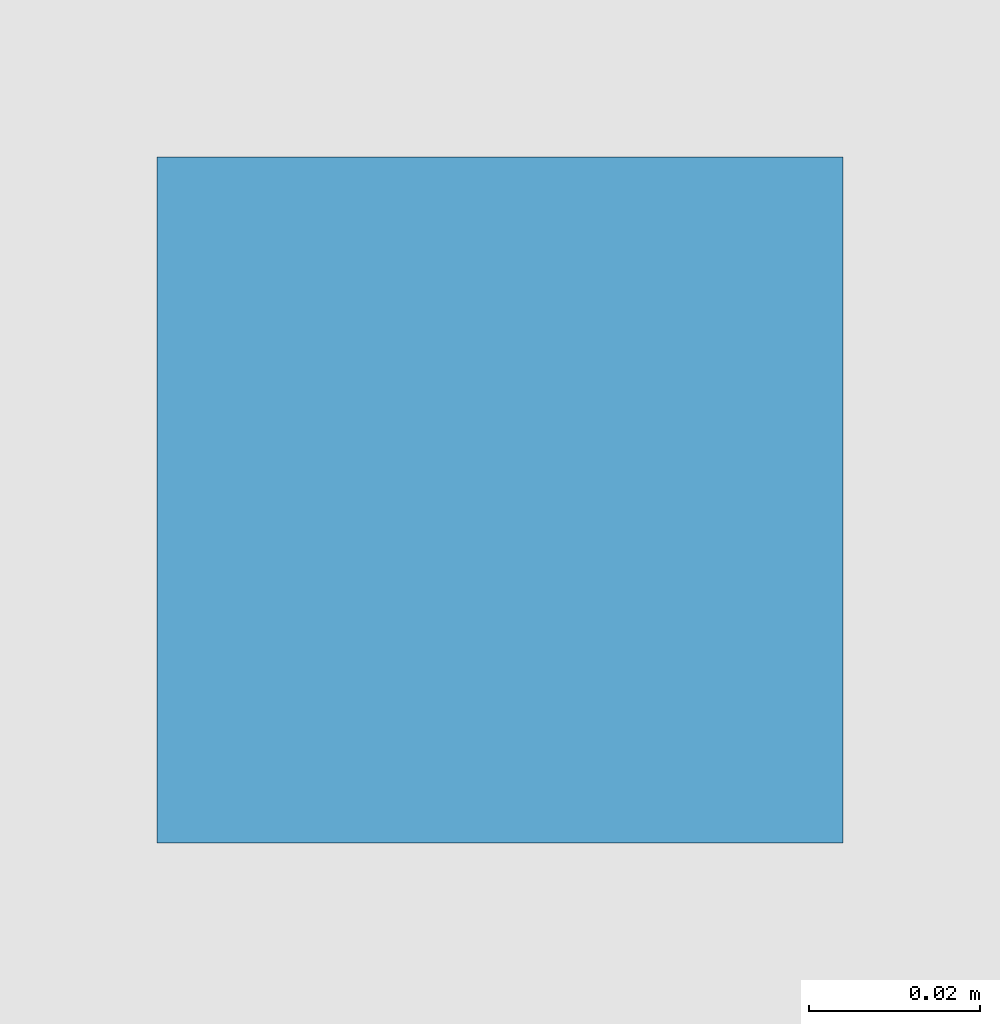
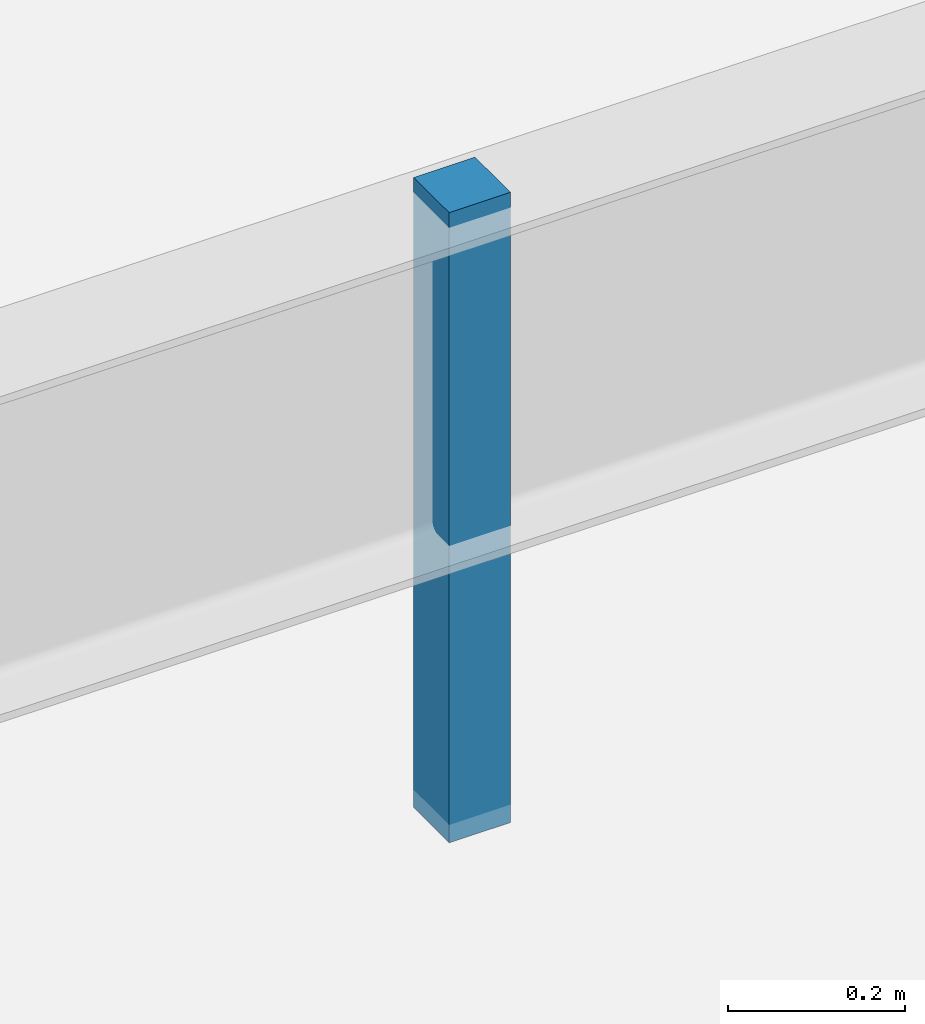
# One storey, part 103 of 117: 1 discrete accessory.
"""IFC4 building model written with IfcOpenShell, lengths in metres."""

import ifcopenshell
import ifcopenshell.guid

model = None  # the IFC model being written
_history = None  # IfcOwnerHistory: only IFC2X3 demands one
_inside = {}  # id of a spatial element -> (the spatial element, [elements in it])
_under = {}  # id of a project, library or spatial element -> (it, [spatial elements below it])
_declared = {}  # id of a project -> (the project, [libraries it declares])
_typed = {}  # id of a type object -> (the type object, [elements of that type])
_made_of = {}  # id of a material, layer set ... -> (it, [elements and type objects made of it])


def new_model(schema):
    """Start an empty IFC model of exactly this schema.

    Asked for "IFC4X3", IfcOpenShell would pick the latest addendum, in which some entities
    have other attributes; the version numbers below select the first issue.
    IFC2X3 requires an IfcOwnerHistory on every rooted entity: one is made here for all.
    """
    global model, _history
    if schema == "IFC4X3":
        model = ifcopenshell.file(schema_version=(4, 3, 0, 0))
    else:
        model = ifcopenshell.file(schema=schema)
    _inside.clear()
    _under.clear()
    _declared.clear()
    _typed.clear()
    _made_of.clear()
    _history = None
    if model.schema == "IFC2X3":
        org = make("IfcOrganization", Name="unknown")
        user = make(
            "IfcPersonAndOrganization",
            ThePerson=make("IfcPerson", FamilyName="unknown"),
            TheOrganization=org,
        )
        app = make(
            "IfcApplication",
            ApplicationDeveloper=org,
            Version="unknown",
            ApplicationFullName="unknown",
            ApplicationIdentifier="unknown",
        )
        _history = make(
            "IfcOwnerHistory",
            OwningUser=user,
            OwningApplication=app,
            ChangeAction="ADDED",
            CreationDate=0,
        )
    return model


def make(cls, **values):
    """One entity of the class cls with the attributes given. An attribute that is None is left unset."""
    return model.create_entity(
        cls, **{name: value for name, value in values.items() if value is not None}
    )


def rooted(cls, **values):
    """An entity with a GlobalId (a new one), such as an element, a storey or a relation."""
    return make(cls, GlobalId=ifcopenshell.guid.new(), OwnerHistory=_history, **values)


def si_unit(unit_type, name, prefix=None):
    """IfcSIUnit, for example si_unit("LENGTHUNIT", "METRE", prefix="MILLI")."""
    return make("IfcSIUnit", UnitType=unit_type, Prefix=prefix, Name=name)


def assignment(units):
    """IfcUnitAssignment: the units of a project."""
    return None if units is None else make("IfcUnitAssignment", Units=units)


def point(xyz):
    """IfcCartesianPoint."""
    return None if xyz is None else make("IfcCartesianPoint", Coordinates=xyz)


def direction(xyz):
    """IfcDirection."""
    return None if xyz is None else make("IfcDirection", DirectionRatios=xyz)


def frame(location, z_axis=None, x_axis=None):
    """IfcAxis2Placement3D, a coordinate frame: its origin and axes. An axis left out is left unset."""
    return make(
        "IfcAxis2Placement3D",
        Location=point(location),
        Axis=direction(z_axis),
        RefDirection=direction(x_axis),
    )


def frame_2d(location, x_axis=None):
    """IfcAxis2Placement2D, a coordinate frame in the plane: its origin and x axis."""
    return make(
        "IfcAxis2Placement2D", Location=point(location), RefDirection=direction(x_axis)
    )


def origin():
    """The frame at (0, 0, 0) with its axes left unset."""
    return frame((0.0, 0.0, 0.0))


def origin_2d():
    """The frame at (0, 0) in the plane with its x axis left unset."""
    return frame_2d((0.0, 0.0))


def place(relative_to, where):
    """IfcLocalPlacement: puts the frame where relative to a parent placement (None: the world)."""
    return make(
        "IfcLocalPlacement", PlacementRelTo=relative_to, RelativePlacement=where
    )


def context(
    kind, dimensions, precision=None, world=None, true_north=None, identifier=None
):
    """IfcGeometricRepresentationContext, for example the 3D "Model" context."""
    return make(
        "IfcGeometricRepresentationContext",
        ContextIdentifier=identifier,
        ContextType=kind,
        CoordinateSpaceDimension=dimensions,
        Precision=precision,
        WorldCoordinateSystem=world,
        TrueNorth=true_north,
    )


def subcontext(parent, identifier, kind, view, scale=None):
    """IfcGeometricRepresentationSubContext, for example "Body" below "Model"."""
    return make(
        "IfcGeometricRepresentationSubContext",
        ContextIdentifier=identifier,
        ContextType=kind,
        ParentContext=parent,
        TargetScale=scale,
        TargetView=view,
    )


def project(units=None, contexts=None):
    """IfcProject with its units and contexts."""
    return rooted(
        "IfcProject",
        Name="project",
        RepresentationContexts=contexts,
        UnitsInContext=assignment(units),
    )


def spatial(cls, under=None, at=None, **own):
    """A site, building, storey or space (cls), placed at a placement, below another one or the project."""
    s = rooted(cls, ObjectPlacement=at, **own)
    if under is not None:
        _under.setdefault(under.id(), (under, []))[1].append(s)
    return s


def profile(cls, at=None, kind="AREA", **sizes):
    """A parametric profile (cls). Its sizes go by their IFC names, for example OverallWidth=200.0."""
    return make(cls, ProfileType=kind, Position=at, **sizes)


def rectangle(**sizes):
    """IfcRectangleProfileDef."""
    return profile("IfcRectangleProfileDef", **sizes)


def extrude(swept, where, along, depth):
    """IfcExtrudedAreaSolid: the profile swept, set in the frame where, extruded along a direction by depth."""
    return make(
        "IfcExtrudedAreaSolid",
        SweptArea=swept,
        Position=where,
        ExtrudedDirection=direction(along),
        Depth=depth,
    )


def shape(context_of_items, identifier, shape_type, items):
    """IfcShapeRepresentation: the items that make up one representation, for example the "Body"."""
    return make(
        "IfcShapeRepresentation",
        ContextOfItems=context_of_items,
        RepresentationIdentifier=identifier,
        RepresentationType=shape_type,
        Items=items,
    )


def material(Name=None, Category=None):
    """IfcMaterial."""
    return make("IfcMaterial", Name=Name, Category=Category)


def made_of(thing, what):
    """Note that an element or type object is made of a material, layer set ...; save() writes the relation."""
    if what is not None:
        _made_of.setdefault(what.id(), (what, []))[1].append(thing)
    return thing


def type_object(cls, material=None, **own):
    """A type object (cls), such as IfcWallType, which elements share."""
    return made_of(rooted(cls, **own), material)


def element(
    cls,
    number,
    at=None,
    inside=None,
    cuts=None,
    type_object=None,
    material=None,
    context=None,
    identifier="Body",
    shape_type=None,
    held_by="IfcProductDefinitionShape",
    body=None,
    shapes=None,
    **own,
):
    """One element of the class cls, such as IfcWall. Its Tag is "e" and its number.

    at: its placement. inside: the storey or other place that contains it. cuts: it is an
    opening in that element (IfcRelVoidsElement). A single representation is given by context,
    identifier, shape_type and body (its items); several are given by shapes. held_by: the class
    of the entity that holds the representations. save() writes the other relations.
    """
    e = rooted(cls, Tag="e%d" % number, ObjectPlacement=at, **own)
    if body is not None:
        shapes = [shape(context, identifier, shape_type, body)]
    if shapes is not None:
        e.Representation = make(held_by, Representations=shapes)
    if inside is not None:
        _inside.setdefault(inside.id(), (inside, []))[1].append(e)
    if cuts is not None:
        rooted(
            "IfcRelVoidsElement", RelatingBuildingElement=cuts, RelatedOpeningElement=e
        )
    if type_object is not None:
        _typed.setdefault(type_object.id(), (type_object, []))[1].append(e)
    return made_of(e, material)


def aggregate(whole, parts):
    """IfcRelAggregates: a whole, such as a stair, and the parts it consists of."""
    return rooted("IfcRelAggregates", RelatingObject=whole, RelatedObjects=parts)


def save(model, path):
    """Write the relations noted so far, then the file.

    IfcRelAggregates (storeys below a building ...), IfcRelContainedInSpatialStructure (elements
    in a storey), IfcRelDefinesByType, IfcRelAssociatesMaterial and IfcRelDeclares: one each for
    every whole, place, type object, material and project.
    """
    for whole, parts in _under.values():
        aggregate(whole, parts)
    for where, things in _inside.values():
        rooted(
            "IfcRelContainedInSpatialStructure",
            RelatedElements=things,
            RelatingStructure=where,
        )
    for kind, things in _typed.values():
        rooted("IfcRelDefinesByType", RelatedObjects=things, RelatingType=kind)
    for what, things in _made_of.values():
        rooted("IfcRelAssociatesMaterial", RelatedObjects=things, RelatingMaterial=what)
    for by, libraries in _declared.values():
        rooted("IfcRelDeclares", RelatingContext=by, RelatedDefinitions=libraries)
    model.write(path)


model = new_model("IFC4")

# Units and contexts
model_context = context("Model", 3, precision=1e-05, world=origin(), true_north=direction((0.0, 1.0)))
body_context = subcontext(model_context, "Body", "Model", "MODEL_VIEW")
ifc_project = project(units=[si_unit("LENGTHUNIT", "METRE"), si_unit("AREAUNIT", "SQUARE_METRE"), si_unit("VOLUMEUNIT", "CUBIC_METRE"), si_unit("PLANEANGLEUNIT", "RADIAN"), si_unit("MASSUNIT", "GRAM", prefix="KILO")], contexts=[model_context])

# Site, building, storey
site_placement = place(None, origin())
site = spatial("IfcSite", under=ifc_project, at=site_placement, CompositionType="ELEMENT")
building_placement = place(site_placement, origin())
building = spatial("IfcBuilding", under=site, at=building_placement, Name="Solmirada Galleria", CompositionType="ELEMENT")
storey_placement = place(building_placement, frame((0.0, 0.0, 5.60009765625)))
storey = spatial("IfcBuildingStorey", under=building, at=storey_placement, Name="L01", CompositionType="ELEMENT", Elevation=5.60009765625)

# Discrete accessory
ifc_material = material(Name="Steel S355 / ASTM A992 Grade 50", Category="steel")
discrete_accessory_type = type_object("IfcDiscreteAccessoryType", Name="ACC-CEIL-HANGER", PredefinedType="BRACKET", material=ifc_material)
discrete_accessory_placement = place(storey_placement, frame((140.0, 92.0, 3.749755859375), z_axis=(0.0, 0.0, 1.0), x_axis=(1.0, 0.0, 0.0)))
element("IfcDiscreteAccessory", 1, at=discrete_accessory_placement, inside=storey, type_object=discrete_accessory_type, Name="Ceiling suspension hanger L01-3", PredefinedType="BRACKET", context=body_context, shape_type="SweptSolid", body=[
    extrude(rectangle(XDim=0.080078125, YDim=0.080078125, at=origin_2d()), origin(), (0.0, 0.0, 1.0), 0.8701171875),
])

save(model, "model.ifc")
